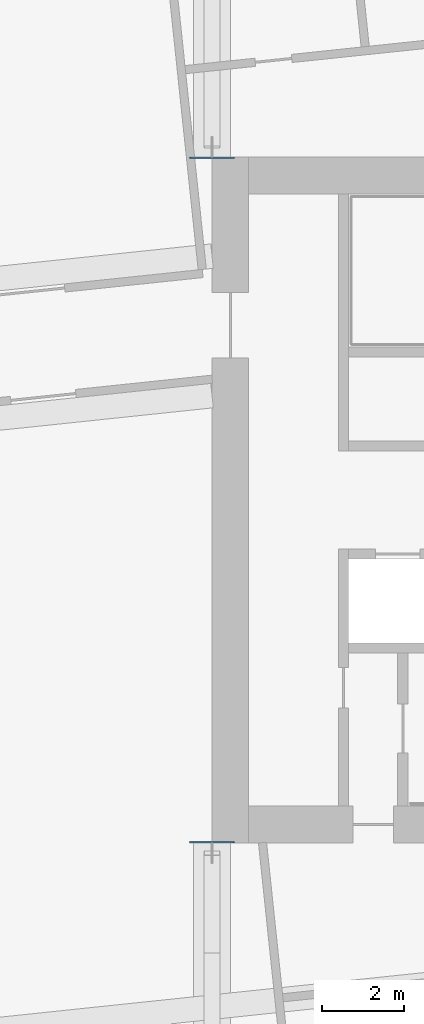
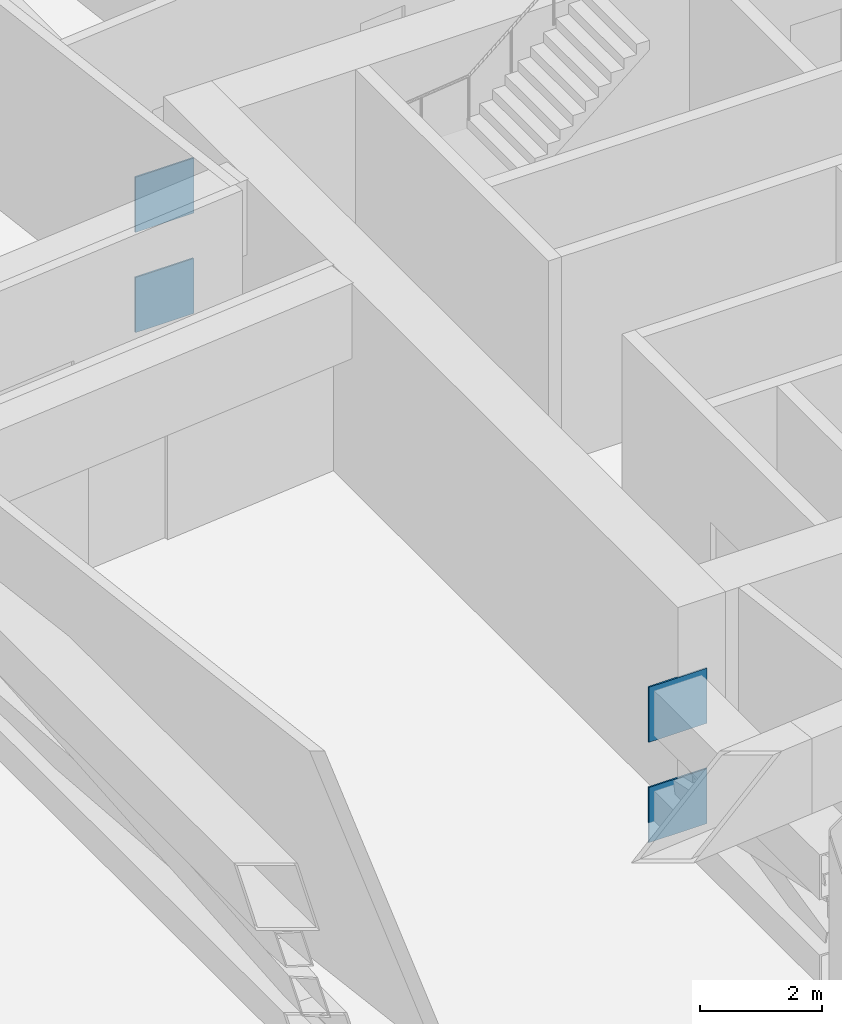
# One storey, part 21 of 33: 4 discrete accessories.
"""IFC4 building model written with IfcOpenShell, lengths in metres."""

from ifc_helpers import new_model, si_unit, direction, frame, origin, origin_2d, place, context, subcontext, project, spatial, rectangle, extrude, material, material_profile, profile_set, type_object, element, save


model = new_model("IFC4")

# Units and contexts
model_context = context("Model", 3, precision=1e-05, world=origin(), true_north=direction((0.0, 1.0)))
body_context = subcontext(model_context, "Body", "Model", "MODEL_VIEW")
ifc_project = project(units=[si_unit("LENGTHUNIT", "METRE"), si_unit("AREAUNIT", "SQUARE_METRE"), si_unit("VOLUMEUNIT", "CUBIC_METRE"), si_unit("PLANEANGLEUNIT", "RADIAN"), si_unit("MASSUNIT", "GRAM", prefix="KILO")], contexts=[model_context])

# Site, building, storey
site_placement = place(None, origin())
site = spatial("IfcSite", under=ifc_project, at=site_placement, CompositionType="ELEMENT")
building_placement = place(site_placement, origin())
building = spatial("IfcBuilding", under=site, at=building_placement, Name="Hakoniwa Tower and Hamabe Station Hall", CompositionType="ELEMENT")
storey_placement = place(building_placement, frame((0.0, 0.0, 228.199951171875)))
storey = spatial("IfcBuildingStorey", under=building, at=storey_placement, Name="L65", CompositionType="ELEMENT", Elevation=228.199951171875)

# Discrete accessories
ifc_material = material(Name="Steel SN490C", Category="steel")
ifc_material_profile = material_profile(ifc_material, rectangle(XDim=1.10009765625, YDim=1.10009765625, at=origin_2d()), Name="CAST-IN PLATE BX-900x900x36")
ifc_profile_set = profile_set([ifc_material_profile], Name="Steel SN490C")
discrete_accessory_type = type_object("IfcDiscreteAccessoryType", Name="CAST-IN PLATE BX-900x900x36", PredefinedType="ANCHORPLATE", material=ifc_profile_set)
for number, where, z_axis, x_axis, name in (
    (1, (16.800048828125, -8.3701171875, 0.150146484375), (0.0, -1.0, 0.0), (1.0, 0.0, 0.0), "Cast-in plate T4-12-BC01"),
    (2, (16.800048828125, -8.3701171875, 2.150146484375), (0.0, -1.0, 0.0), (1.0, 0.0, 0.0), "Cast-in plate T4-12-TC01"),
    (3, (16.800048828125, 8.3701171875, 0.150146484375), (0.0, 1.0, 0.0), (-1.0, 0.0, 0.0), "Cast-in plate T4-13-BC01"),
    (4, (16.800048828125, 8.3701171875, 2.150146484375), (0.0, 1.0, 0.0), (-1.0, 0.0, 0.0), "Cast-in plate T4-13-TC01"),
):
    element("IfcDiscreteAccessory", number, at=place(storey_placement, frame(where, z_axis=z_axis, x_axis=x_axis)), inside=storey, type_object=discrete_accessory_type, Name=name, PredefinedType="ANCHORPLATE", context=body_context, shape_type="SweptSolid", body=[
        extrude(rectangle(XDim=1.10009765625, YDim=1.10009765625, at=origin_2d()), origin(), (0.0, 0.0, 1.0), 0.02978515625),
    ])

save(model, "model.ifc")
